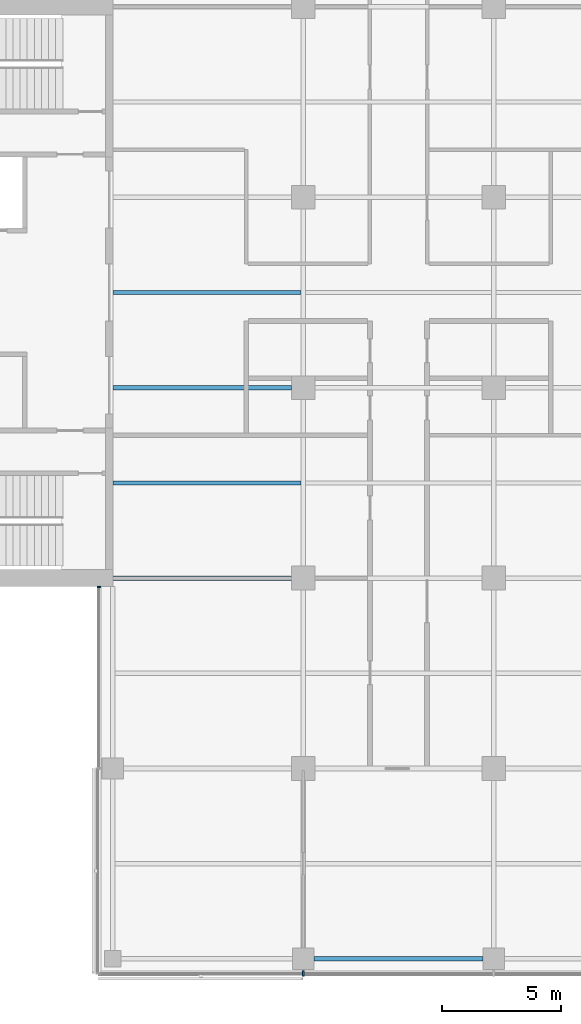
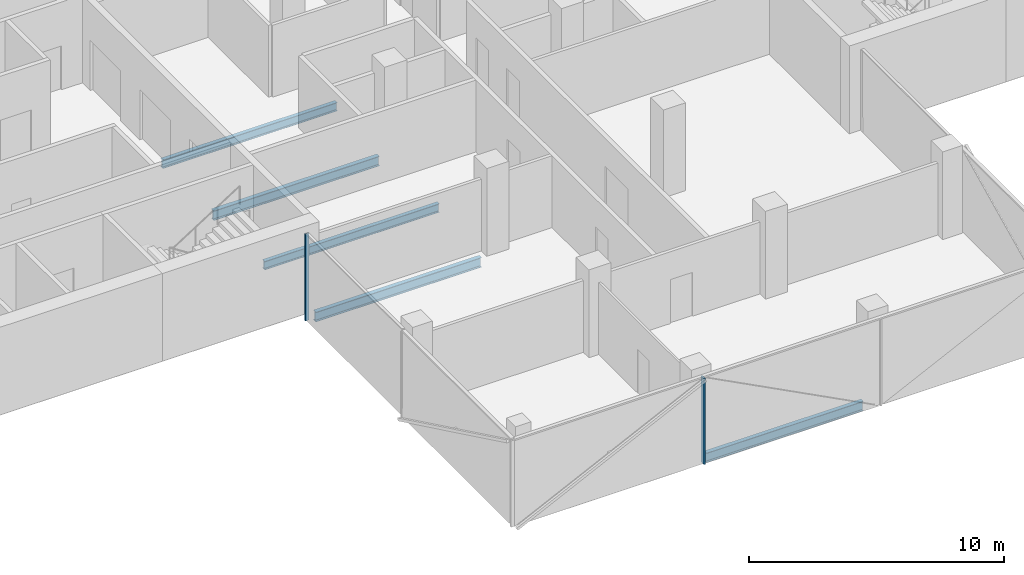
# One storey, part 4 of 22: 5 beams, 2 members, 2 elements without a shape of their own.
"""IFC4 building model written with IfcOpenShell, lengths in metres."""

from ifc_helpers import new_model, si_unit, direction, frame, origin, origin_2d, place, context, subcontext, project, spatial, rectangle, i_section, extrude, material, material_profile, profile_set, type_object, element, aggregate, save


model = new_model("IFC4")

# Units and contexts
model_context = context("Model", 3, precision=1e-05, world=origin(), true_north=direction((0.0, 1.0)))
body_context = subcontext(model_context, "Body", "Model", "MODEL_VIEW")
ifc_project = project(units=[si_unit("LENGTHUNIT", "METRE"), si_unit("AREAUNIT", "SQUARE_METRE"), si_unit("VOLUMEUNIT", "CUBIC_METRE"), si_unit("PLANEANGLEUNIT", "RADIAN"), si_unit("MASSUNIT", "GRAM", prefix="KILO")], contexts=[model_context])

# Site, building, storey
site_placement = place(None, origin())
site = spatial("IfcSite", under=ifc_project, at=site_placement, CompositionType="ELEMENT")
building_placement = place(site_placement, origin())
building = spatial("IfcBuilding", under=site, at=building_placement, Name="Crosswind Convention Tower", CompositionType="ELEMENT")
storey_placement = place(building_placement, frame((0.0, 0.0, 163.10009765625)))
storey = spatial("IfcBuildingStorey", under=building, at=storey_placement, Name="L34", CompositionType="ELEMENT", Elevation=163.10009765625)

# Beams
ifc_material_1 = material(Name="Steel S355", Category="steel")
ifc_material_profile_1 = material_profile(ifc_material_1, i_section(OverallWidth=0.18994140625, OverallDepth=0.45361328125, WebThickness=0.008544921875, FlangeThickness=0.0126953125, FilletRadius=0.01025390625, at=origin_2d()), Name="UB 457x191x67")
ifc_profile_set_1 = profile_set([ifc_material_profile_1], Name="Steel S355")
beam_type_1 = type_object("IfcBeamType", Name="Edge beam UB 457x191x67", PredefinedType="SPANDREL", material=ifc_profile_set_1)
beam_placement = place(storey_placement, frame((121.449951171875, 72.0, -0.52685546875), z_axis=(1.0, 0.0, 0.0), x_axis=(0.0, 1.0, 0.0)))
element("IfcBeam", 1, at=beam_placement, inside=storey, type_object=beam_type_1, Name="B16 L34 edge beam 12", PredefinedType="SPANDREL", context=body_context, shape_type="SweptSolid", body=[
    extrude(i_section(OverallWidth=0.18994140625, OverallDepth=0.45361328125, WebThickness=0.008544921875, FlangeThickness=0.0126953125, FilletRadius=0.01025390625, at=origin_2d()), origin(), (0.0, 0.0, 1.0), 7.10009765625),
])
ifc_material_profile_2 = material_profile(ifc_material_1, i_section(OverallWidth=0.19189453125, OverallDepth=0.463623046875, WebThickness=0.010498046875, FlangeThickness=0.017578125, FilletRadius=0.01025390625, at=origin_2d()), Name="UB 457x191x90")
ifc_profile_set_2 = profile_set([ifc_material_profile_2], Name="Steel S355")
beam_type_2 = type_object("IfcBeamType", Name="Girder at core wall UB 457x191x90", PredefinedType="BEAM", material=ifc_profile_set_2)
for number, where, z_axis, x_axis, name in (
    (2, (113.0, 88.0, -0.531982421875), (1.0, 0.0, 0.0), (0.0, 1.0, 0.0), "B24 L34 girder at core wall 3"),
    (3, (113.0, 96.0, -0.531982421875), (1.0, 0.0, 0.0), (0.0, 1.0, 0.0), "B24 L34 girder at core wall 4"),
):
    element("IfcBeam", number, at=place(storey_placement, frame(where, z_axis=z_axis, x_axis=x_axis)), inside=storey, type_object=beam_type_2, Name=name, PredefinedType="BEAM", context=body_context, shape_type="SweptSolid", body=[
        extrude(i_section(OverallWidth=0.19189453125, OverallDepth=0.463623046875, WebThickness=0.010498046875, FlangeThickness=0.017578125, FilletRadius=0.01025390625, at=origin_2d()), origin(), (0.0, 0.0, 1.0), 7.5),
    ])

# Curtain wall, member
ifc_material_2 = material(Name="Aluminium unitised curtain wall", Category="aluminium")
curtain_wall_type_1 = type_object("IfcCurtainWallType", Name="CORE END SLOT WALL 160", PredefinedType="USERDEFINED", material=ifc_material_2)
curtain_wall_1_placement = place(storey_placement, origin())
curtain_wall_1 = element("IfcCurtainWall", 4, at=curtain_wall_1_placement, inside=storey, type_object=curtain_wall_type_1, Name="CW6 L34 S-W.1-1 slot", ObjectType="UNITISED", PredefinedType="USERDEFINED")
ifc_material_3 = material(Name="Aluminium mullion", Category="aluminium")
ifc_material_profile_3 = material_profile(ifc_material_3, rectangle(XDim=0.159912109375, YDim=0.050048828125, at=origin_2d()), Name="AL 160X50")
ifc_profile_set_3 = profile_set([ifc_material_profile_3], Name="Aluminium mullion")
member_type_1 = type_object("IfcMemberType", Name="MULLION 50X160", PredefinedType="MULLION", material=ifc_profile_set_3)
member_1_placement = place(storey_placement, frame((112.419921875, 87.625, -0.300048828125), z_axis=(0.0, 0.0, 1.0), x_axis=(-1.0, 0.0, 0.0)))
member_1 = element("IfcMember", 5, at=member_1_placement, type_object=member_type_1, Name="CW6 mullion 1", PredefinedType="MULLION", context=body_context, shape_type="SweptSolid", body=[
    extrude(rectangle(XDim=0.159912109375, YDim=0.050048828125, at=origin_2d()), origin(), (0.0, 0.0, 1.0), 4.14990234375),
])
aggregate(curtain_wall_1, [member_1])

curtain_wall_type_2 = type_object("IfcCurtainWallType", Name="OFFICE UNITISED WALL 220", PredefinedType="USERDEFINED", material=ifc_material_2)
curtain_wall_2_placement = place(storey_placement, origin())
curtain_wall_2 = element("IfcCurtainWall", 6, at=curtain_wall_2_placement, inside=storey, type_object=curtain_wall_type_2, Name="CW3 L34 S-TIP 1", ObjectType="UNITISED", PredefinedType="USERDEFINED")
ifc_material_profile_4 = material_profile(ifc_material_3, rectangle(XDim=0.219970703125, YDim=0.070068359375, at=origin_2d()), Name="AL 220X70")
ifc_profile_set_4 = profile_set([ifc_material_profile_4], Name="Aluminium mullion")
member_type_2 = type_object("IfcMemberType", Name="MULLION 70X220", PredefinedType="MULLION", material=ifc_profile_set_4)
member_2_placement = place(storey_placement, frame((121.0, 71.389892578125, -0.300048828125), z_axis=(0.0, 0.0, 1.0), x_axis=(0.0, -1.0, 0.0)))
member_2 = element("IfcMember", 7, at=member_2_placement, type_object=member_type_2, Name="CW3 mullion 2", PredefinedType="MULLION", context=body_context, shape_type="SweptSolid", body=[
    extrude(rectangle(XDim=0.219970703125, YDim=0.070068359375, at=origin_2d()), origin(), (0.0, 0.0, 1.0), 4.1298828125),
])
aggregate(curtain_wall_2, [member_2])

# Beams
ifc_material_profile_5 = material_profile(ifc_material_1, i_section(OverallWidth=0.177734375, OverallDepth=0.406494140625, WebThickness=0.0078125, FlangeThickness=0.0126953125, FilletRadius=0.01025390625, at=origin_2d()), Name="UB 406x178x60")
ifc_profile_set_5 = profile_set([ifc_material_profile_5], Name="Steel S355")
beam_type_3 = type_object("IfcBeamType", Name="Secondary beam UB 406x178x60", PredefinedType="JOIST", material=ifc_profile_set_5)
for number, where, z_axis, x_axis, name in (
    (8, (113.0, 92.0, -0.50341796875), (1.0, 0.0, 0.0), (0.0, 1.0, 0.0), "B10 L34 secondary beam 4"),
    (9, (113.0, 100.0, -0.50341796875), (1.0, 0.0, 0.0), (0.0, 1.0, 0.0), "B10 L34 secondary beam 5"),
):
    element("IfcBeam", number, at=place(storey_placement, frame(where, z_axis=z_axis, x_axis=x_axis)), inside=storey, type_object=beam_type_3, Name=name, PredefinedType="JOIST", context=body_context, shape_type="SweptSolid", body=[
        extrude(i_section(OverallWidth=0.177734375, OverallDepth=0.406494140625, WebThickness=0.0078125, FlangeThickness=0.0126953125, FilletRadius=0.01025390625, at=origin_2d()), origin(), (0.0, 0.0, 1.0), 7.904296875),
    ])

save(model, "model.ifc")
